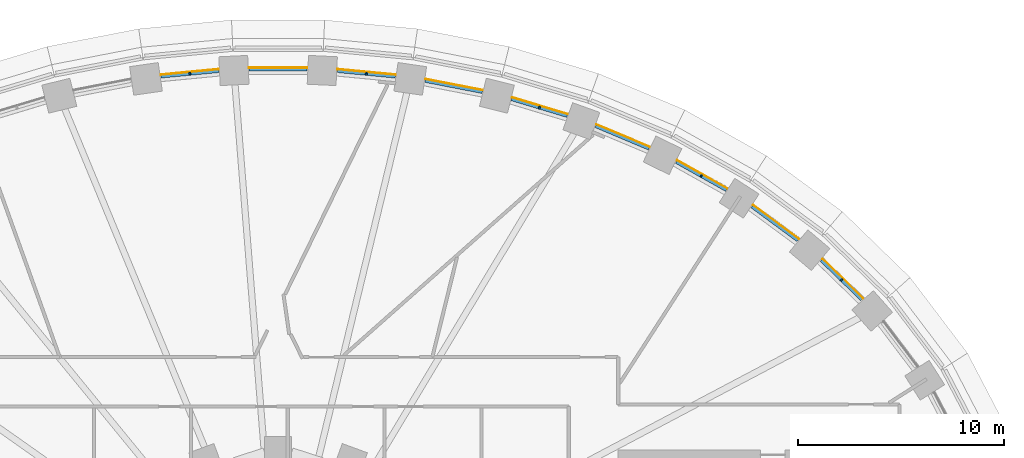
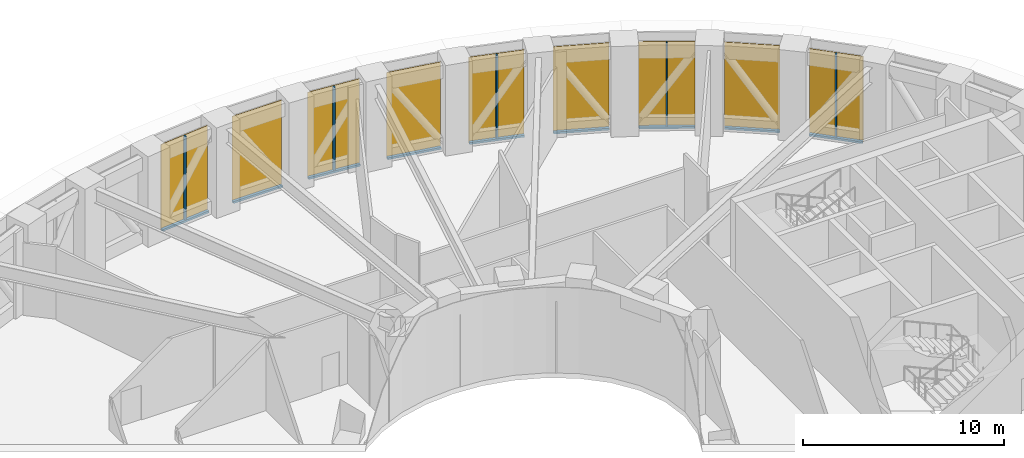
# One storey, part 18 of 25: 14 members, 9 curtain walls.
"""IFC4 building model written with IfcOpenShell, lengths in metres."""

from ifc_helpers import new_model, si_unit, direction, frame, origin, origin_2d, place, context, subcontext, project, spatial, polyline, rectangle, outline, extrude, material, layer, layer_set, material_profile, profile_set, type_object, element, aggregate, save


model = new_model("IFC4")

# Units and contexts
model_context = context("Model", 3, precision=1e-05, world=origin(), true_north=direction((0.0, 1.0)))
body_context = subcontext(model_context, "Body", "Model", "MODEL_VIEW")
ifc_project = project(units=[si_unit("LENGTHUNIT", "METRE"), si_unit("AREAUNIT", "SQUARE_METRE"), si_unit("VOLUMEUNIT", "CUBIC_METRE"), si_unit("PLANEANGLEUNIT", "RADIAN"), si_unit("MASSUNIT", "GRAM", prefix="KILO")], contexts=[model_context])

# Member
ifc_material_1 = material(Name="Aluminium 6063-T6 black anodised", Category="aluminium")
ifc_material_profile = material_profile(ifc_material_1, rectangle(XDim=0.14990234375, YDim=0.080078125, at=origin_2d()), Name="150x80")
ifc_profile_set = profile_set([ifc_material_profile], Name="Aluminium 6063-T6 black anodised")
member_type_1 = type_object("IfcMemberType", Name="ENV-MULLION-B-150", PredefinedType="MULLION", material=ifc_profile_set)
site_placement = place(None, origin())
building_placement = place(site_placement, origin())
storey_placement = place(building_placement, frame((0.0, 0.0, 82.5)))
member_1_placement = place(storey_placement, frame((27.3310546875, 16.73583984375, 0.1201171875), z_axis=(0.0, 0.0, 1.0), x_axis=(-0.696842125038, -0.717224548362, 0.0)))
member_1 = element("IfcMember", 1, at=member_1_placement, type_object=member_type_1, Name="Mullion B chord 05", PredefinedType="MULLION", context=body_context, shape_type="SweptSolid", body=[
    extrude(rectangle(XDim=0.14990234375, YDim=0.080078125, at=origin_2d()), origin(), (0.0, 0.0, 1.0), 5.079833984375),
])

member_2_placement = place(storey_placement, frame((20.525634765625, 21.780029296875, 0.1201171875), z_axis=(0.0, 0.0, 1.0), x_axis=(-0.48942643941, -0.872044586249, 0.0)))
member_2 = element("IfcMember", 2, at=member_2_placement, type_object=member_type_1, Name="Mullion B chord 07", PredefinedType="MULLION", context=body_context, shape_type="SweptSolid", body=[
    extrude(rectangle(XDim=0.14990234375, YDim=0.080078125, at=origin_2d()), origin(), (0.0, 0.0, 1.0), 5.079833984375),
])

member_3_placement = place(storey_placement, frame((12.673828125, 25.098388671875, 0.1201171875), z_axis=(0.0, 0.0, 1.0), x_axis=(-0.28817445525, -0.957577925467, 0.0)))
member_3 = element("IfcMember", 3, at=member_3_placement, type_object=member_type_1, Name="Mullion B chord 09", PredefinedType="MULLION", context=body_context, shape_type="SweptSolid", body=[
    extrude(rectangle(XDim=0.14990234375, YDim=0.080078125, at=origin_2d()), origin(), (0.0, 0.0, 1.0), 5.079833984375),
])

member_4_placement = place(storey_placement, frame((4.2802734375, 26.7373046875, 0.1201171875), z_axis=(0.0, 0.0, 1.0), x_axis=(-0.095008122171, -0.995476497323, 0.0)))
member_4 = element("IfcMember", 4, at=member_4_placement, type_object=member_type_1, Name="Mullion B chord 11", PredefinedType="MULLION", context=body_context, shape_type="SweptSolid", body=[
    extrude(rectangle(XDim=0.14990234375, YDim=0.080078125, at=origin_2d()), origin(), (0.0, 0.0, 1.0), 5.079833984375),
])

member_5_placement = place(storey_placement, frame((-4.2802734375, 26.7373046875, 0.1201171875), z_axis=(0.0, 0.0, 1.0), x_axis=(0.095008122171, -0.995476497323, 0.0)))
member_5 = element("IfcMember", 5, at=member_5_placement, type_object=member_type_1, Name="Mullion B chord 13", PredefinedType="MULLION", context=body_context, shape_type="SweptSolid", body=[
    extrude(rectangle(XDim=0.14990234375, YDim=0.080078125, at=origin_2d()), origin(), (0.0, 0.0, 1.0), 5.079833984375),
])

ifc_material_2 = material(Name="Aluminium 6063-T6 black anodised", Category="aluminium")
member_type_2 = type_object("IfcMemberType", Name="ENV-TRANSOM-B", PredefinedType="USERDEFINED", material=ifc_material_2)
member_6_placement = place(storey_placement, origin())
member_6 = element("IfcMember", 6, at=member_6_placement, type_object=member_type_2, Name="Transom B radial 05-06", ObjectType="TRANSOM", PredefinedType="USERDEFINED", context=body_context, shape_type="SweptSolid", body=[
    extrude(outline(polyline([(28.368896484375, 15.83203125), (26.394287109375, 17.750732421875), (26.297119140625, 17.635986328125), (28.25634765625, 15.732421875), (28.368896484375, 15.83203125)])), origin(), (0.0, 0.0, 1.0), 0.1201171875),
])

member_7_placement = place(storey_placement, origin())
member_7 = element("IfcMember", 7, at=member_7_placement, type_object=member_type_2, Name="Transom B radial 06-07", ObjectType="TRANSOM", PredefinedType="USERDEFINED", context=body_context, shape_type="SweptSolid", body=[
    extrude(outline(polyline([(25.258544921875, 18.712890625), (23.0234375, 20.359375), (22.94189453125, 20.233154296875), (25.161376953125, 18.59814453125), (25.258544921875, 18.712890625)])), origin(), (0.0, 0.0, 1.0), 0.1201171875),
])

member_8_placement = place(storey_placement, origin())
member_8 = element("IfcMember", 8, at=member_8_placement, type_object=member_type_2, Name="Transom B radial 07-08", ObjectType="TRANSOM", PredefinedType="USERDEFINED", context=body_context, shape_type="SweptSolid", body=[
    extrude(outline(polyline([(21.779296875, 21.162353515625), (19.34228515625, 22.530029296875), (19.276123046875, 22.395263671875), (21.69775390625, 21.0361328125), (21.779296875, 21.162353515625)])), origin(), (0.0, 0.0, 1.0), 0.1201171875),
])

member_9_placement = place(storey_placement, origin())
member_9 = element("IfcMember", 9, at=member_9_placement, type_object=member_type_2, Name="Transom B radial 08-09", ObjectType="TRANSOM", PredefinedType="USERDEFINED", context=body_context, shape_type="SweptSolid", body=[
    extrude(outline(polyline([(18.017333984375, 23.177734375), (15.427978515625, 24.266845703125), (15.377197265625, 24.12548828125), (17.951416015625, 23.04296875), (18.017333984375, 23.177734375)])), origin(), (0.0, 0.0, 1.0), 0.1201171875),
])

member_10_placement = place(storey_placement, origin())
member_10 = element("IfcMember", 10, at=member_10_placement, type_object=member_type_2, Name="Transom B radial 09-10", ObjectType="TRANSOM", PredefinedType="USERDEFINED", context=body_context, shape_type="SweptSolid", body=[
    extrude(outline(polyline([(14.044677734375, 24.76416015625), (11.344482421875, 25.57666015625), (11.30859375, 25.430908203125), (13.993896484375, 24.622802734375), (14.044677734375, 24.76416015625)])), origin(), (0.0, 0.0, 1.0), 0.1201171875),
])

member_11_placement = place(storey_placement, origin())
member_11 = element("IfcMember", 11, at=member_11_placement, type_object=member_type_2, Name="Transom B radial 10-11", ObjectType="TRANSOM", PredefinedType="USERDEFINED", context=body_context, shape_type="SweptSolid", body=[
    extrude(outline(polyline([(9.9208984375, 25.928466796875), (7.145751953125, 26.468017578125), (7.124267578125, 26.319091796875), (9.884765625, 25.78271484375), (9.9208984375, 25.928466796875)])), origin(), (0.0, 0.0, 1.0), 0.1201171875),
])

member_12_placement = place(storey_placement, origin())
member_12 = element("IfcMember", 12, at=member_12_placement, type_object=member_type_2, Name="Transom B radial 11-12", ObjectType="TRANSOM", PredefinedType="USERDEFINED", context=body_context, shape_type="SweptSolid", body=[
    extrude(outline(polyline([(5.6962890625, 26.677490234375), (2.8779296875, 26.9462890625), (2.870849609375, 26.79638671875), (5.6748046875, 26.52880859375), (5.6962890625, 26.677490234375)])), origin(), (0.0, 0.0, 1.0), 0.1201171875),
])

member_13_placement = place(storey_placement, origin())
member_13 = element("IfcMember", 13, at=member_13_placement, type_object=member_type_2, Name="Transom B radial 12-13", ObjectType="TRANSOM", PredefinedType="USERDEFINED", context=body_context, shape_type="SweptSolid", body=[
    extrude(outline(polyline([(1.416259765625, 27.01611328125), (-1.416259765625, 27.01611328125), (-1.4091796875, 26.865966796875), (1.4091796875, 26.865966796875), (1.416259765625, 27.01611328125)])), origin(), (0.0, 0.0, 1.0), 0.1201171875),
])

member_14_placement = place(storey_placement, origin())
member_14 = element("IfcMember", 14, at=member_14_placement, type_object=member_type_2, Name="Transom B radial 13-14", ObjectType="TRANSOM", PredefinedType="USERDEFINED", context=body_context, shape_type="SweptSolid", body=[
    extrude(outline(polyline([(-2.8779296875, 26.9462890625), (-5.6962890625, 26.677490234375), (-5.6748046875, 26.52880859375), (-2.870849609375, 26.79638671875), (-2.8779296875, 26.9462890625)])), origin(), (0.0, 0.0, 1.0), 0.1201171875),
])

# Site, building, storey
site = spatial("IfcSite", under=ifc_project, at=site_placement, CompositionType="ELEMENT")
building = spatial("IfcBuilding", under=site, at=building_placement, Name="Noorbagh Ring Tower", CompositionType="ELEMENT")
storey = spatial("IfcBuildingStorey", under=building, at=storey_placement, Name="L18", CompositionType="ELEMENT", Elevation=82.5)

# Curtain wall
ifc_material_3 = material(Name="Glass dark tinted laminated", Category="glass")
ifc_layer = layer(ifc_material_3, 0.031982421875)
ifc_layer_set = layer_set([ifc_layer], Name="Glass dark tinted laminated")
curtain_wall_type = type_object("IfcCurtainWallType", Name="ENV-CW-B", PredefinedType="NOTDEFINED", material=ifc_layer_set)
curtain_wall_1_placement = place(storey_placement, origin())
curtain_wall_1 = element("IfcCurtainWall", 15, at=curtain_wall_1_placement, inside=storey, type_object=curtain_wall_type, Name="Curtain wall B R05", PredefinedType="NOTDEFINED", context=body_context, shape_type="SweptSolid", body=[
    extrude(outline(polyline([(28.39306640625, 15.853515625), (26.414794921875, 17.775146484375), (26.394287109375, 17.750732421875), (28.368896484375, 15.83203125), (28.39306640625, 15.853515625)])), origin(), (0.0, 0.0, 1.0), 5.199951171875),
])

aggregate(curtain_wall_1, [member_1, member_6])

curtain_wall_2_placement = place(storey_placement, origin())
curtain_wall_2 = element("IfcCurtainWall", 16, at=curtain_wall_2_placement, inside=storey, type_object=curtain_wall_type, Name="Curtain wall B R06", PredefinedType="NOTDEFINED", context=body_context, shape_type="SweptSolid", body=[
    extrude(outline(polyline([(25.279296875, 18.7373046875), (23.040771484375, 20.38623046875), (23.0234375, 20.359375), (25.258544921875, 18.712890625), (25.279296875, 18.7373046875)])), origin(), (0.0, 0.0, 1.0), 5.199951171875),
])

aggregate(curtain_wall_2, [member_7])

curtain_wall_3_placement = place(storey_placement, origin())
curtain_wall_3 = element("IfcCurtainWall", 17, at=curtain_wall_3_placement, inside=storey, type_object=curtain_wall_type, Name="Curtain wall B R07", PredefinedType="NOTDEFINED", context=body_context, shape_type="SweptSolid", body=[
    extrude(outline(polyline([(21.796630859375, 21.189208984375), (19.356201171875, 22.558837890625), (19.34228515625, 22.530029296875), (21.779296875, 21.162353515625), (21.796630859375, 21.189208984375)])), origin(), (0.0, 0.0, 1.0), 5.199951171875),
])

aggregate(curtain_wall_3, [member_2, member_8])

curtain_wall_4_placement = place(storey_placement, origin())
curtain_wall_4 = element("IfcCurtainWall", 18, at=curtain_wall_4_placement, inside=storey, type_object=curtain_wall_type, Name="Curtain wall B R08", PredefinedType="NOTDEFINED", context=body_context, shape_type="SweptSolid", body=[
    extrude(outline(polyline([(18.031494140625, 23.20654296875), (15.438720703125, 24.296875), (15.427978515625, 24.266845703125), (18.017333984375, 23.177734375), (18.031494140625, 23.20654296875)])), origin(), (0.0, 0.0, 1.0), 5.199951171875),
])

aggregate(curtain_wall_4, [member_9])

curtain_wall_5_placement = place(storey_placement, origin())
curtain_wall_5 = element("IfcCurtainWall", 19, at=curtain_wall_5_placement, inside=storey, type_object=curtain_wall_type, Name="Curtain wall B R09", PredefinedType="NOTDEFINED", context=body_context, shape_type="SweptSolid", body=[
    extrude(outline(polyline([(14.0556640625, 24.794189453125), (11.352294921875, 25.60791015625), (11.344482421875, 25.57666015625), (14.044677734375, 24.76416015625), (14.0556640625, 24.794189453125)])), origin(), (0.0, 0.0, 1.0), 5.199951171875),
])

aggregate(curtain_wall_5, [member_3, member_10])

curtain_wall_6_placement = place(storey_placement, origin())
curtain_wall_6 = element("IfcCurtainWall", 20, at=curtain_wall_6_placement, inside=storey, type_object=curtain_wall_type, Name="Curtain wall B R10", PredefinedType="NOTDEFINED", context=body_context, shape_type="SweptSolid", body=[
    extrude(outline(polyline([(9.928466796875, 25.95947265625), (7.150390625, 26.49951171875), (7.145751953125, 26.468017578125), (9.9208984375, 25.928466796875), (9.928466796875, 25.95947265625)])), origin(), (0.0, 0.0, 1.0), 5.199951171875),
])

aggregate(curtain_wall_6, [member_11])

curtain_wall_7_placement = place(storey_placement, origin())
curtain_wall_7 = element("IfcCurtainWall", 21, at=curtain_wall_7_placement, inside=storey, type_object=curtain_wall_type, Name="Curtain wall B R11", PredefinedType="NOTDEFINED", context=body_context, shape_type="SweptSolid", body=[
    extrude(outline(polyline([(5.700927734375, 26.708984375), (2.87939453125, 26.978515625), (2.8779296875, 26.9462890625), (5.6962890625, 26.677490234375), (5.700927734375, 26.708984375)])), origin(), (0.0, 0.0, 1.0), 5.199951171875),
])

aggregate(curtain_wall_7, [member_4, member_12])

curtain_wall_8_placement = place(storey_placement, origin())
curtain_wall_8 = element("IfcCurtainWall", 22, at=curtain_wall_8_placement, inside=storey, type_object=curtain_wall_type, Name="Curtain wall B R12", PredefinedType="NOTDEFINED", context=body_context, shape_type="SweptSolid", body=[
    extrude(outline(polyline([(1.417724609375, 27.048095703125), (-1.417724609375, 27.048095703125), (-1.416259765625, 27.01611328125), (1.416259765625, 27.01611328125), (1.417724609375, 27.048095703125)])), origin(), (0.0, 0.0, 1.0), 5.199951171875),
])

aggregate(curtain_wall_8, [member_13])

curtain_wall_9_placement = place(storey_placement, origin())
curtain_wall_9 = element("IfcCurtainWall", 23, at=curtain_wall_9_placement, inside=storey, type_object=curtain_wall_type, Name="Curtain wall B R13", PredefinedType="NOTDEFINED", context=body_context, shape_type="SweptSolid", body=[
    extrude(outline(polyline([(-2.87939453125, 26.978515625), (-5.700927734375, 26.708984375), (-5.6962890625, 26.677490234375), (-2.8779296875, 26.9462890625), (-2.87939453125, 26.978515625)])), origin(), (0.0, 0.0, 1.0), 5.199951171875),
])

aggregate(curtain_wall_9, [member_5, member_14])

save(model, "model.ifc")
